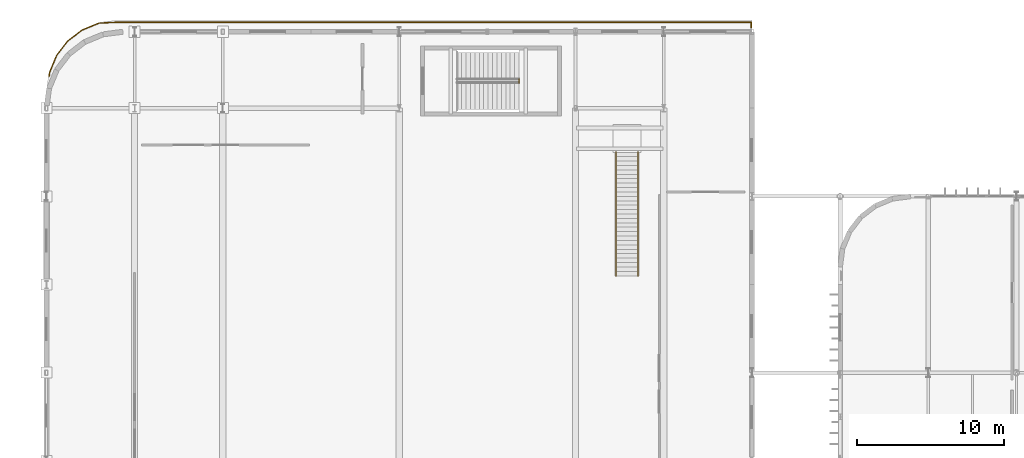
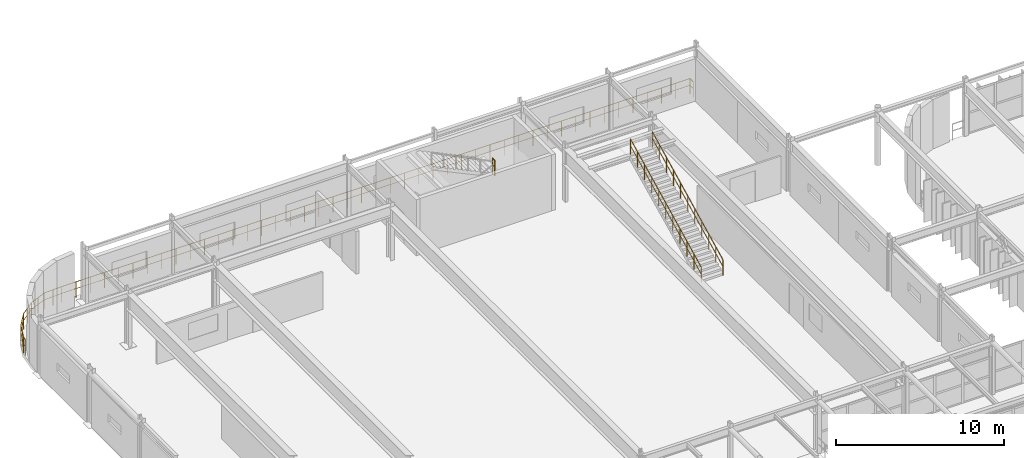
# One storey, part 109 of 116: 4 railings.
"""IFC4 building model written with IfcOpenShell, lengths in metres."""

from ifc_helpers import new_model, si_unit, direction, frame, origin, origin_2d, place, context, subcontext, project, spatial, circle, extrude, material, type_object, element, save


model = new_model("IFC4")

# Units and contexts
model_context = context("Model", 3, precision=1e-05, world=origin(), true_north=direction((0.0, 1.0)))
body_context = subcontext(model_context, "Body", "Model", "MODEL_VIEW")
ifc_project = project(units=[si_unit("LENGTHUNIT", "METRE"), si_unit("AREAUNIT", "SQUARE_METRE"), si_unit("VOLUMEUNIT", "CUBIC_METRE"), si_unit("PLANEANGLEUNIT", "RADIAN"), si_unit("MASSUNIT", "GRAM", prefix="KILO")], contexts=[model_context])

# Site, building, storey
site_placement = place(None, origin())
site = spatial("IfcSite", under=ifc_project, at=site_placement, CompositionType="ELEMENT")
building_placement = place(site_placement, origin())
building = spatial("IfcBuilding", under=site, at=building_placement, Name="Varnakota Square Police Headquarters", CompositionType="ELEMENT")
storey_placement = place(building_placement, frame((0.0, 0.0, 9.300048828125)))
storey = spatial("IfcBuildingStorey", under=building, at=storey_placement, Name="L02", CompositionType="ELEMENT", Elevation=9.300048828125)

# Railings
ifc_material_1 = material(Name="Galvanised Powder-Coated Steel Guardrail", Category="steel")
railing_type_1 = type_object("IfcRailingType", Name="RL-BAL-1150", PredefinedType="BALUSTRADE", material=ifc_material_1)
railing_1_placement = place(storey_placement, frame((6.17578125, 107.15283203125, 0.0)))
element("IfcRailing", 1, at=railing_1_placement, inside=storey, type_object=railing_type_1, Name="Perimeter edge safety guard GD-AUTO-L02-054", PredefinedType="BALUSTRADE", context=body_context, shape_type="SweptSolid", body=[
    extrude(circle(Radius=0.02392578125, at=origin_2d()), frame((0.0, 0.0, 1.1259765625), z_axis=(0.131360598818, 0.991334652415, 0.0), x_axis=(-0.991334652415, 0.131360598818, 0.0)), (0.0, 0.0, 1.0), 0.27880859375),
    extrude(circle(Radius=0.01806640625, at=origin_2d()), frame((0.0, 0.0, 0.63232421875), z_axis=(0.131360598818, 0.991334652415, 0.0), x_axis=(-0.991334652415, 0.131360598818, 0.0)), (0.0, 0.0, 1.0), 0.27880859375),
    extrude(circle(Radius=0.02392578125, at=origin_2d()), frame((0.03662109375, 0.2763671875, 1.1259765625), z_axis=(0.38260106809, 0.92391364461, 0.0), x_axis=(-0.92391364461, 0.38260106809, 0.0)), (0.0, 0.0, 1.0), 1.23974609375),
    extrude(circle(Radius=0.01806640625, at=origin_2d()), frame((0.03662109375, 0.2763671875, 0.63232421875), z_axis=(0.38260106809, 0.92391364461, 0.0), x_axis=(-0.92391364461, 0.38260106809, 0.0)), (0.0, 0.0, 1.0), 1.23974609375),
    extrude(circle(Radius=0.02392578125, at=origin_2d()), frame((0.510986328125, 1.421875, 1.1259765625), z_axis=(0.608815903339, 0.793311537696, 0.0), x_axis=(-0.793311537696, 0.608815903339, 0.0)), (0.0, 0.0, 1.0), 1.239990234375),
    extrude(circle(Radius=0.01806640625, at=origin_2d()), frame((0.510986328125, 1.421875, 0.63232421875), z_axis=(0.608815903339, 0.793311537696, 0.0), x_axis=(-0.793311537696, 0.608815903339, 0.0)), (0.0, 0.0, 1.0), 1.239990234375),
    extrude(circle(Radius=0.02392578125, at=origin_2d()), frame((1.265869140625, 2.405517578125, 1.1259765625), z_axis=(0.793311537696, 0.608815903339, 0.0), x_axis=(-0.608815903339, 0.793311537696, 0.0)), (0.0, 0.0, 1.0), 1.239990234375),
    extrude(circle(Radius=0.01806640625, at=origin_2d()), frame((1.265869140625, 2.405517578125, 0.63232421875), z_axis=(0.793311537696, 0.608815903339, 0.0), x_axis=(-0.608815903339, 0.793311537696, 0.0)), (0.0, 0.0, 1.0), 1.239990234375),
    extrude(circle(Radius=0.02392578125, at=origin_2d()), frame((2.24951171875, 3.160400390625, 1.1259765625), z_axis=(0.92391364461, 0.38260106809, 0.0), x_axis=(-0.38260106809, 0.92391364461, 0.0)), (0.0, 0.0, 1.0), 1.23974609375),
    extrude(circle(Radius=0.01806640625, at=origin_2d()), frame((2.24951171875, 3.160400390625, 0.63232421875), z_axis=(0.92391364461, 0.38260106809, 0.0), x_axis=(-0.38260106809, 0.92391364461, 0.0)), (0.0, 0.0, 1.0), 1.23974609375),
    extrude(circle(Radius=0.02392578125, at=origin_2d()), frame((3.39501953125, 3.634765625, 1.1259765625), z_axis=(0.99871656307, 0.05064806659, 0.0), x_axis=(-0.05064806659, 0.99871656307, 0.0)), (0.0, 0.0, 1.0), 1.23388671875),
    extrude(circle(Radius=0.01806640625, at=origin_2d()), frame((3.39501953125, 3.634765625, 0.63232421875), z_axis=(0.99871656307, 0.05064806659, 0.0), x_axis=(-0.05064806659, 0.99871656307, 0.0)), (0.0, 0.0, 1.0), 1.23388671875),
    extrude(circle(Radius=0.02392578125, at=origin_2d()), frame((4.62744140625, 3.697265625, 1.1259765625), z_axis=(1.0, 0.0, 0.0), x_axis=(0.0, 1.0, 0.0)), (0.0, 0.0, 1.0), 43.146728515625),
    extrude(circle(Radius=0.01806640625, at=origin_2d()), frame((4.62744140625, 3.697265625, 0.63232421875), z_axis=(1.0, 0.0, 0.0), x_axis=(0.0, 1.0, 0.0)), (0.0, 0.0, 1.0), 43.146728515625),
    extrude(circle(Radius=0.02392578125, at=origin_2d()), frame((47.774169921875, 3.697265625, 1.1259765625), z_axis=(0.0, -1.0, 0.0), x_axis=(1.0, 0.0, 0.0)), (0.0, 0.0, 1.0), 0.365234375),
    extrude(circle(Radius=0.01806640625, at=origin_2d()), frame((47.774169921875, 3.697265625, 0.63232421875), z_axis=(0.0, -1.0, 0.0), x_axis=(1.0, 0.0, 0.0)), (0.0, 0.0, 1.0), 0.365234375),
    extrude(circle(Radius=0.02099609375, at=origin_2d()), origin(), (0.0, 0.0, 1.0), 1.101806640625),
    extrude(circle(Radius=0.02099609375, at=origin_2d()), frame((0.03662109375, 0.2763671875, 0.0)), (0.0, 0.0, 1.0), 1.101806640625),
    extrude(circle(Radius=0.02099609375, at=origin_2d()), frame((0.27392578125, 0.84912109375, 0.0)), (0.0, 0.0, 1.0), 1.101806640625),
    extrude(circle(Radius=0.02099609375, at=origin_2d()), frame((0.510986328125, 1.421875, 0.0)), (0.0, 0.0, 1.0), 1.101806640625),
    extrude(circle(Radius=0.02099609375, at=origin_2d()), frame((0.888427734375, 1.91357421875, 0.0)), (0.0, 0.0, 1.0), 1.101806640625),
    extrude(circle(Radius=0.02099609375, at=origin_2d()), frame((1.265869140625, 2.405517578125, 0.0)), (0.0, 0.0, 1.0), 1.101806640625),
    extrude(circle(Radius=0.02099609375, at=origin_2d()), frame((1.7578125, 2.782958984375, 0.0)), (0.0, 0.0, 1.0), 1.101806640625),
    extrude(circle(Radius=0.02099609375, at=origin_2d()), frame((2.24951171875, 3.160400390625, 0.0)), (0.0, 0.0, 1.0), 1.101806640625),
    extrude(circle(Radius=0.02099609375, at=origin_2d()), frame((2.822265625, 3.3974609375, 0.0)), (0.0, 0.0, 1.0), 1.101806640625),
    extrude(circle(Radius=0.02099609375, at=origin_2d()), frame((3.39501953125, 3.634765625, 0.0)), (0.0, 0.0, 1.0), 1.101806640625),
    extrude(circle(Radius=0.02099609375, at=origin_2d()), frame((4.01123046875, 3.666015625, 0.0)), (0.0, 0.0, 1.0), 1.101806640625),
    extrude(circle(Radius=0.02099609375, at=origin_2d()), frame((4.62744140625, 3.697265625, 0.0)), (0.0, 0.0, 1.0), 1.101806640625),
    extrude(circle(Radius=0.02099609375, at=origin_2d()), frame((5.608154296875, 3.697265625, 0.0)), (0.0, 0.0, 1.0), 1.101806640625),
    extrude(circle(Radius=0.02099609375, at=origin_2d()), frame((6.588623046875, 3.697265625, 0.0)), (0.0, 0.0, 1.0), 1.101806640625),
    extrude(circle(Radius=0.02099609375, at=origin_2d()), frame((7.5693359375, 3.697265625, 0.0)), (0.0, 0.0, 1.0), 1.101806640625),
    extrude(circle(Radius=0.02099609375, at=origin_2d()), frame((8.5498046875, 3.697265625, 0.0)), (0.0, 0.0, 1.0), 1.101806640625),
    extrude(circle(Radius=0.02099609375, at=origin_2d()), frame((9.530517578125, 3.697265625, 0.0)), (0.0, 0.0, 1.0), 1.101806640625),
    extrude(circle(Radius=0.02099609375, at=origin_2d()), frame((10.510986328125, 3.697265625, 0.0)), (0.0, 0.0, 1.0), 1.101806640625),
    extrude(circle(Radius=0.02099609375, at=origin_2d()), frame((11.49169921875, 3.697265625, 0.0)), (0.0, 0.0, 1.0), 1.101806640625),
    extrude(circle(Radius=0.02099609375, at=origin_2d()), frame((12.472412109375, 3.697265625, 0.0)), (0.0, 0.0, 1.0), 1.101806640625),
    extrude(circle(Radius=0.02099609375, at=origin_2d()), frame((13.452880859375, 3.697265625, 0.0)), (0.0, 0.0, 1.0), 1.101806640625),
    extrude(circle(Radius=0.02099609375, at=origin_2d()), frame((14.43359375, 3.697265625, 0.0)), (0.0, 0.0, 1.0), 1.101806640625),
    extrude(circle(Radius=0.02099609375, at=origin_2d()), frame((15.4140625, 3.697265625, 0.0)), (0.0, 0.0, 1.0), 1.101806640625),
    extrude(circle(Radius=0.02099609375, at=origin_2d()), frame((16.394775390625, 3.697265625, 0.0)), (0.0, 0.0, 1.0), 1.101806640625),
    extrude(circle(Radius=0.02099609375, at=origin_2d()), frame((17.375244140625, 3.697265625, 0.0)), (0.0, 0.0, 1.0), 1.101806640625),
    extrude(circle(Radius=0.02099609375, at=origin_2d()), frame((18.35595703125, 3.697265625, 0.0)), (0.0, 0.0, 1.0), 1.101806640625),
    extrude(circle(Radius=0.02099609375, at=origin_2d()), frame((19.336669921875, 3.697265625, 0.0)), (0.0, 0.0, 1.0), 1.101806640625),
    extrude(circle(Radius=0.02099609375, at=origin_2d()), frame((20.317138671875, 3.697265625, 0.0)), (0.0, 0.0, 1.0), 1.101806640625),
    extrude(circle(Radius=0.02099609375, at=origin_2d()), frame((21.2978515625, 3.697265625, 0.0)), (0.0, 0.0, 1.0), 1.101806640625),
    extrude(circle(Radius=0.02099609375, at=origin_2d()), frame((22.2783203125, 3.697265625, 0.0)), (0.0, 0.0, 1.0), 1.101806640625),
    extrude(circle(Radius=0.02099609375, at=origin_2d()), frame((23.259033203125, 3.697265625, 0.0)), (0.0, 0.0, 1.0), 1.101806640625),
    extrude(circle(Radius=0.02099609375, at=origin_2d()), frame((24.239501953125, 3.697265625, 0.0)), (0.0, 0.0, 1.0), 1.101806640625),
    extrude(circle(Radius=0.02099609375, at=origin_2d()), frame((25.22021484375, 3.697265625, 0.0)), (0.0, 0.0, 1.0), 1.101806640625),
    extrude(circle(Radius=0.02099609375, at=origin_2d()), frame((26.20068359375, 3.697265625, 0.0)), (0.0, 0.0, 1.0), 1.101806640625),
    extrude(circle(Radius=0.02099609375, at=origin_2d()), frame((27.181396484375, 3.697265625, 0.0)), (0.0, 0.0, 1.0), 1.101806640625),
    extrude(circle(Radius=0.02099609375, at=origin_2d()), frame((28.162109375, 3.697265625, 0.0)), (0.0, 0.0, 1.0), 1.101806640625),
    extrude(circle(Radius=0.02099609375, at=origin_2d()), frame((29.142578125, 3.697265625, 0.0)), (0.0, 0.0, 1.0), 1.101806640625),
    extrude(circle(Radius=0.02099609375, at=origin_2d()), frame((30.123291015625, 3.697265625, 0.0)), (0.0, 0.0, 1.0), 1.101806640625),
    extrude(circle(Radius=0.02099609375, at=origin_2d()), frame((31.103759765625, 3.697265625, 0.0)), (0.0, 0.0, 1.0), 1.101806640625),
    extrude(circle(Radius=0.02099609375, at=origin_2d()), frame((32.08447265625, 3.697265625, 0.0)), (0.0, 0.0, 1.0), 1.101806640625),
    extrude(circle(Radius=0.02099609375, at=origin_2d()), frame((33.06494140625, 3.697265625, 0.0)), (0.0, 0.0, 1.0), 1.101806640625),
    extrude(circle(Radius=0.02099609375, at=origin_2d()), frame((34.045654296875, 3.697265625, 0.0)), (0.0, 0.0, 1.0), 1.101806640625),
    extrude(circle(Radius=0.02099609375, at=origin_2d()), frame((35.0263671875, 3.697265625, 0.0)), (0.0, 0.0, 1.0), 1.101806640625),
    extrude(circle(Radius=0.02099609375, at=origin_2d()), frame((36.0068359375, 3.697265625, 0.0)), (0.0, 0.0, 1.0), 1.101806640625),
    extrude(circle(Radius=0.02099609375, at=origin_2d()), frame((36.987548828125, 3.697265625, 0.0)), (0.0, 0.0, 1.0), 1.101806640625),
    extrude(circle(Radius=0.02099609375, at=origin_2d()), frame((37.968017578125, 3.697265625, 0.0)), (0.0, 0.0, 1.0), 1.101806640625),
    extrude(circle(Radius=0.02099609375, at=origin_2d()), frame((38.94873046875, 3.697265625, 0.0)), (0.0, 0.0, 1.0), 1.101806640625),
    extrude(circle(Radius=0.02099609375, at=origin_2d()), frame((39.92919921875, 3.697265625, 0.0)), (0.0, 0.0, 1.0), 1.101806640625),
    extrude(circle(Radius=0.02099609375, at=origin_2d()), frame((40.909912109375, 3.697265625, 0.0)), (0.0, 0.0, 1.0), 1.101806640625),
    extrude(circle(Radius=0.02099609375, at=origin_2d()), frame((41.890625, 3.697265625, 0.0)), (0.0, 0.0, 1.0), 1.101806640625),
    extrude(circle(Radius=0.02099609375, at=origin_2d()), frame((42.87109375, 3.697265625, 0.0)), (0.0, 0.0, 1.0), 1.101806640625),
    extrude(circle(Radius=0.02099609375, at=origin_2d()), frame((43.851806640625, 3.697265625, 0.0)), (0.0, 0.0, 1.0), 1.101806640625),
    extrude(circle(Radius=0.02099609375, at=origin_2d()), frame((44.832275390625, 3.697265625, 0.0)), (0.0, 0.0, 1.0), 1.101806640625),
    extrude(circle(Radius=0.02099609375, at=origin_2d()), frame((45.81298828125, 3.697265625, 0.0)), (0.0, 0.0, 1.0), 1.101806640625),
    extrude(circle(Radius=0.02099609375, at=origin_2d()), frame((46.79345703125, 3.697265625, 0.0)), (0.0, 0.0, 1.0), 1.101806640625),
    extrude(circle(Radius=0.02099609375, at=origin_2d()), frame((47.774169921875, 3.697265625, 0.0)), (0.0, 0.0, 1.0), 1.101806640625),
    extrude(circle(Radius=0.02099609375, at=origin_2d()), frame((47.774169921875, 3.33203125, 0.0)), (0.0, 0.0, 1.0), 1.101806640625),
])
ifc_material_2 = material(Name="Brushed Stainless Steel Tubular Handrail", Category="steel")
railing_type_2 = type_object("IfcRailingType", Name="RL-HND-920", PredefinedType="HANDRAIL", material=ifc_material_2)
railing_2_placement = place(storey_placement, frame((44.75, 93.5986328125, 0.0)))
element("IfcRailing", 2, at=railing_2_placement, inside=storey, type_object=railing_type_2, Name="Feature stair guard-handrail ST-GYM1-L", PredefinedType="HANDRAIL", context=body_context, shape_type="SweptSolid", body=[
    extrude(circle(Radius=0.02392578125, at=origin_2d()), frame((0.0, 0.0, 1.1259765625), z_axis=(0.0, 0.89445837998, 0.4471512121), x_axis=(-1.0, 0.0, 0.0)), (0.0, 0.0, 1.0), 9.392578125),
    extrude(circle(Radius=0.01806640625, at=origin_2d()), frame((0.0, 0.0, 0.63232421875), z_axis=(0.0, 0.89445837998, 0.4471512121), x_axis=(-1.0, 0.0, 0.0)), (0.0, 0.0, 1.0), 9.392578125),
    extrude(circle(Radius=0.02099609375, at=origin_2d()), origin(), (0.0, 0.0, 1.0), 1.101806640625),
    extrude(circle(Radius=0.02099609375, at=origin_2d()), frame((0.0, 0.840087890625, 0.419921875)), (0.0, 0.0, 1.0), 1.101806640625),
    extrude(circle(Radius=0.02099609375, at=origin_2d()), frame((0.0, 1.68017578125, 0.840087890625)), (0.0, 0.0, 1.0), 1.101806640625),
    extrude(circle(Radius=0.02099609375, at=origin_2d()), frame((0.0, 2.5205078125, 1.260009765625)), (0.0, 0.0, 1.0), 1.101806640625),
    extrude(circle(Radius=0.02099609375, at=origin_2d()), frame((0.0, 3.360595703125, 1.679931640625)), (0.0, 0.0, 1.0), 1.101806640625),
    extrude(circle(Radius=0.02099609375, at=origin_2d()), frame((0.0, 4.20068359375, 2.10009765625)), (0.0, 0.0, 1.0), 1.101806640625),
    extrude(circle(Radius=0.02099609375, at=origin_2d()), frame((0.0, 5.040771484375, 2.52001953125)), (0.0, 0.0, 1.0), 1.101806640625),
    extrude(circle(Radius=0.02099609375, at=origin_2d()), frame((0.0, 5.880859375, 2.93994140625)), (0.0, 0.0, 1.0), 1.101806640625),
    extrude(circle(Radius=0.02099609375, at=origin_2d()), frame((0.0, 6.72119140625, 3.35986328125)), (0.0, 0.0, 1.0), 1.101806640625),
    extrude(circle(Radius=0.02099609375, at=origin_2d()), frame((0.0, 7.561279296875, 3.780029296875)), (0.0, 0.0, 1.0), 1.101806640625),
    extrude(circle(Radius=0.02099609375, at=origin_2d()), frame((0.0, 8.4013671875, 4.199951171875)), (0.0, 0.0, 1.0), 1.101806640625),
])
railing_3_placement = place(storey_placement, frame((46.25, 93.5986328125, 0.0)))
element("IfcRailing", 3, at=railing_3_placement, inside=storey, type_object=railing_type_2, Name="Feature stair guard-handrail ST-GYM1-R", PredefinedType="HANDRAIL", context=body_context, shape_type="SweptSolid", body=[
    extrude(circle(Radius=0.02392578125, at=origin_2d()), frame((0.0, 0.0, 1.1259765625), z_axis=(0.0, 0.89445837998, 0.4471512121), x_axis=(-1.0, 0.0, 0.0)), (0.0, 0.0, 1.0), 9.392578125),
    extrude(circle(Radius=0.01806640625, at=origin_2d()), frame((0.0, 0.0, 0.63232421875), z_axis=(0.0, 0.89445837998, 0.4471512121), x_axis=(-1.0, 0.0, 0.0)), (0.0, 0.0, 1.0), 9.392578125),
    extrude(circle(Radius=0.02099609375, at=origin_2d()), origin(), (0.0, 0.0, 1.0), 1.101806640625),
    extrude(circle(Radius=0.02099609375, at=origin_2d()), frame((0.0, 0.840087890625, 0.419921875)), (0.0, 0.0, 1.0), 1.101806640625),
    extrude(circle(Radius=0.02099609375, at=origin_2d()), frame((0.0, 1.68017578125, 0.840087890625)), (0.0, 0.0, 1.0), 1.101806640625),
    extrude(circle(Radius=0.02099609375, at=origin_2d()), frame((0.0, 2.5205078125, 1.260009765625)), (0.0, 0.0, 1.0), 1.101806640625),
    extrude(circle(Radius=0.02099609375, at=origin_2d()), frame((0.0, 3.360595703125, 1.679931640625)), (0.0, 0.0, 1.0), 1.101806640625),
    extrude(circle(Radius=0.02099609375, at=origin_2d()), frame((0.0, 4.20068359375, 2.10009765625)), (0.0, 0.0, 1.0), 1.101806640625),
    extrude(circle(Radius=0.02099609375, at=origin_2d()), frame((0.0, 5.040771484375, 2.52001953125)), (0.0, 0.0, 1.0), 1.101806640625),
    extrude(circle(Radius=0.02099609375, at=origin_2d()), frame((0.0, 5.880859375, 2.93994140625)), (0.0, 0.0, 1.0), 1.101806640625),
    extrude(circle(Radius=0.02099609375, at=origin_2d()), frame((0.0, 6.72119140625, 3.35986328125)), (0.0, 0.0, 1.0), 1.101806640625),
    extrude(circle(Radius=0.02099609375, at=origin_2d()), frame((0.0, 7.561279296875, 3.780029296875)), (0.0, 0.0, 1.0), 1.101806640625),
    extrude(circle(Radius=0.02099609375, at=origin_2d()), frame((0.0, 8.4013671875, 4.199951171875)), (0.0, 0.0, 1.0), 1.101806640625),
])
ifc_material_3 = material(Name="Laminated Glass and Stainless Steel Balustrade", Category="steel")
railing_type_3 = type_object("IfcRailingType", Name="RL-INT-1150", PredefinedType="BALUSTRADE", material=ifc_material_3)
railing_4_placement = place(storey_placement, frame((38.150634765625, 106.719970703125, 2.099853515625)))
element("IfcRailing", 4, at=railing_4_placement, inside=storey, type_object=railing_type_3, Name="Half-landing well guard C7 L02", PredefinedType="BALUSTRADE", context=body_context, shape_type="SweptSolid", body=[
    extrude(circle(Radius=0.02392578125, at=origin_2d()), frame((0.0, 0.0, 1.1259765625), z_axis=(0.0, 1.0, 0.0), x_axis=(-1.0, 0.0, 0.0)), (0.0, 0.0, 1.0), 0.260009765625),
    extrude(circle(Radius=0.01806640625, at=origin_2d()), frame((0.0, 0.0, 0.63232421875), z_axis=(0.0, 1.0, 0.0), x_axis=(-1.0, 0.0, 0.0)), (0.0, 0.0, 1.0), 0.260009765625),
    extrude(circle(Radius=0.02099609375, at=origin_2d()), origin(), (0.0, 0.0, 1.0), 1.101806640625),
    extrude(circle(Radius=0.02099609375, at=origin_2d()), frame((0.0, 0.260009765625, 0.0)), (0.0, 0.0, 1.0), 1.101806640625),
])

save(model, "model.ifc")
